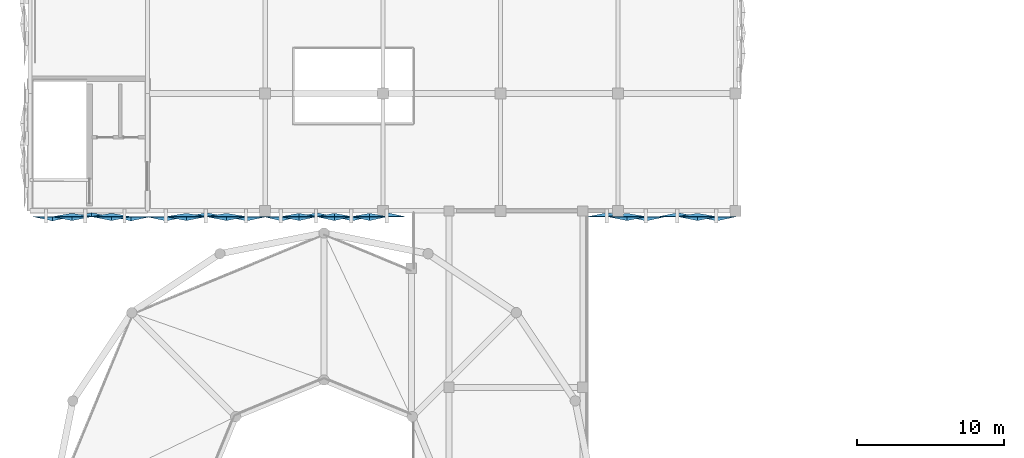
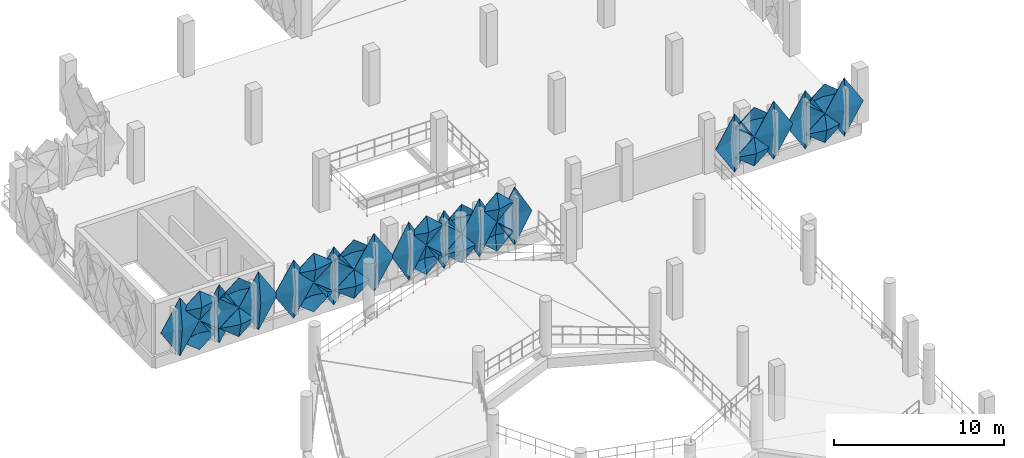
# One storey, part 52 of 83: 32 plates.
"""IFC4 building model written with IfcOpenShell, lengths in metres."""

from ifc_helpers import new_model, si_unit, derived_unit, direction, frame, origin, place, context, subcontext, project, spatial, polygons, material, layer, layer_set, type_object, element, save


model = new_model("IFC4")

# Units and contexts
model_context = context("Model", 3, precision=1e-05, world=origin(), true_north=direction((0.0, 1.0)))
body_context = subcontext(model_context, "Body", "Model", "MODEL_VIEW")
ifc_project = project(units=[si_unit("LENGTHUNIT", "METRE"), si_unit("AREAUNIT", "SQUARE_METRE"), si_unit("VOLUMEUNIT", "CUBIC_METRE"), si_unit("PLANEANGLEUNIT", "RADIAN"), si_unit("MASSUNIT", "GRAM", prefix="KILO"), si_unit("THERMODYNAMICTEMPERATUREUNIT", "KELVIN"), derived_unit("THERMALTRANSMITTANCEUNIT", [(si_unit("POWERUNIT", "WATT"), 1), (si_unit("AREAUNIT", "SQUARE_METRE"), -1), (si_unit("THERMODYNAMICTEMPERATUREUNIT", "KELVIN"), -1)])], contexts=[model_context])

# Site, building, storey
site_placement = place(None, origin())
site = spatial("IfcSite", under=ifc_project, at=site_placement, CompositionType="ELEMENT")
building_placement = place(site_placement, origin())
building = spatial("IfcBuilding", under=site, at=building_placement, Name="Haiyu Intermodal Mobility Hub", CompositionType="ELEMENT")
storey_placement = place(building_placement, frame((0.0, 0.0, 13.39990234375)))
storey = spatial("IfcBuildingStorey", under=building, at=storey_placement, Name="L03", CompositionType="ELEMENT", Elevation=13.39990234375)

# Plates
ifc_material = material(Name="Anodised aluminium 6063-T6", Category="aluminium")
ifc_layer_1 = layer(ifc_material, 0.01806640625)
ifc_layer_set_1 = layer_set([ifc_layer_1], Name="Anodised aluminium 6063-T6")
plate_type_1 = type_object("IfcPlateType", Name="PLT-FC01", PredefinedType="USERDEFINED", material=ifc_layer_set_1)
plate_1_placement = place(storey_placement, origin())
element("IfcPlate", 1, at=plate_1_placement, inside=storey, type_object=plate_type_1, Name="PLT-PYR-1453", ObjectType="FACADE CASSETTE", PredefinedType="USERDEFINED", context=body_context, shape_type="Tessellation", body=[
    polygons([(16.866943359375, 79.60009765625, 1.6201171875), (18.179931640625, 79.60009765625, 2.670166015625), (16.866943359375, 79.60009765625, 3.72021484375), (15.552978515625, 79.60009765625, 2.670166015625), (16.866943359375, 79.340087890625, 2.670166015625), (16.866943359375, 79.6220703125, 1.6201171875), (18.179931640625, 79.6220703125, 2.670166015625), (16.866943359375, 79.6220703125, 3.72021484375), (15.552978515625, 79.6220703125, 2.670166015625), (16.866943359375, 79.362060546875, 2.670166015625)], [[[1, 2, 5]], [[2, 3, 5]], [[3, 4, 5]], [[4, 1, 5]], [[7, 6, 10]], [[8, 7, 10]], [[9, 8, 10]], [[6, 9, 10]], [[1, 6, 7, 2]], [[2, 7, 8, 3]], [[3, 8, 9, 4]], [[4, 9, 6, 1]]], closed=True),
])
plate_2_placement = place(storey_placement, origin())
element("IfcPlate", 2, at=plate_2_placement, inside=storey, type_object=plate_type_1, Name="PLT-PYR-2080", ObjectType="FACADE CASSETTE", PredefinedType="USERDEFINED", context=body_context, shape_type="Tessellation", body=[
    polygons([(55.925048828125, 79.60009765625, -0.510009765625), (57.22998046875, 79.60009765625, 1.60009765625), (55.925048828125, 79.60009765625, 3.710205078125), (54.6201171875, 79.60009765625, 1.60009765625), (55.925048828125, 79.320068359375, 1.60009765625), (55.925048828125, 79.6220703125, -0.510009765625), (57.22998046875, 79.6220703125, 1.60009765625), (55.925048828125, 79.6220703125, 3.710205078125), (54.6201171875, 79.6220703125, 1.60009765625), (55.925048828125, 79.342041015625, 1.60009765625)], [[[1, 2, 5]], [[2, 3, 5]], [[3, 4, 5]], [[4, 1, 5]], [[7, 6, 10]], [[8, 7, 10]], [[9, 8, 10]], [[6, 9, 10]], [[1, 6, 7, 2]], [[2, 7, 8, 3]], [[3, 8, 9, 4]], [[4, 9, 6, 1]]], closed=True),
])
plate_3_placement = place(storey_placement, origin())
element("IfcPlate", 3, at=plate_3_placement, inside=storey, type_object=plate_type_1, Name="PLT-PYR-2084", ObjectType="FACADE CASSETTE", PredefinedType="USERDEFINED", context=body_context, shape_type="Tessellation", body=[
    polygons([(60.72509765625, 79.60009765625, -0.510009765625), (62.030029296875, 79.60009765625, 1.60009765625), (60.72509765625, 79.60009765625, 3.710205078125), (59.419921875, 79.60009765625, 1.60009765625), (60.72509765625, 79.320068359375, 1.60009765625), (60.72509765625, 79.6220703125, -0.510009765625), (62.030029296875, 79.6220703125, 1.60009765625), (60.72509765625, 79.6220703125, 3.710205078125), (59.419921875, 79.6220703125, 1.60009765625), (60.72509765625, 79.342041015625, 1.60009765625)], [[[1, 2, 5]], [[2, 3, 5]], [[3, 4, 5]], [[4, 1, 5]], [[7, 6, 10]], [[8, 7, 10]], [[9, 8, 10]], [[6, 9, 10]], [[1, 6, 7, 2]], [[2, 7, 8, 3]], [[3, 8, 9, 4]], [[4, 9, 6, 1]]], closed=True),
])
plate_4_placement = place(storey_placement, origin())
element("IfcPlate", 4, at=plate_4_placement, inside=storey, type_object=plate_type_1, Name="PLT-PYR-2520", ObjectType="FACADE CASSETTE", PredefinedType="USERDEFINED", context=body_context, shape_type="Tessellation", body=[
    polygons([(24.633056640625, 79.60009765625, 1.6201171875), (25.97998046875, 79.60009765625, 2.670166015625), (24.633056640625, 79.60009765625, 3.72021484375), (23.287109375, 79.60009765625, 2.670166015625), (24.633056640625, 79.340087890625, 2.670166015625), (24.633056640625, 79.6220703125, 1.6201171875), (25.97998046875, 79.6220703125, 2.670166015625), (24.633056640625, 79.6220703125, 3.72021484375), (23.287109375, 79.6220703125, 2.670166015625), (24.633056640625, 79.362060546875, 2.670166015625)], [[[1, 2, 5]], [[2, 3, 5]], [[3, 4, 5]], [[4, 1, 5]], [[7, 6, 10]], [[8, 7, 10]], [[9, 8, 10]], [[6, 9, 10]], [[1, 6, 7, 2]], [[2, 7, 8, 3]], [[3, 8, 9, 4]], [[4, 9, 6, 1]]], closed=True),
])
plate_5_placement = place(storey_placement, origin())
element("IfcPlate", 5, at=plate_5_placement, inside=storey, type_object=plate_type_1, Name="PLT-PYR-2527", ObjectType="FACADE CASSETTE", PredefinedType="USERDEFINED", context=body_context, shape_type="Tessellation", body=[
    polygons([(32.300048828125, 79.60009765625, 1.6201171875), (33.47998046875, 79.60009765625, 2.670166015625), (32.300048828125, 79.60009765625, 3.72021484375), (31.1201171875, 79.60009765625, 2.670166015625), (32.300048828125, 79.340087890625, 2.670166015625), (32.300048828125, 79.6220703125, 1.6201171875), (33.47998046875, 79.6220703125, 2.670166015625), (32.300048828125, 79.6220703125, 3.72021484375), (31.1201171875, 79.6220703125, 2.670166015625), (32.300048828125, 79.362060546875, 2.670166015625)], [[[1, 2, 5]], [[2, 3, 5]], [[3, 4, 5]], [[4, 1, 5]], [[7, 6, 10]], [[8, 7, 10]], [[9, 8, 10]], [[6, 9, 10]], [[1, 6, 7, 2]], [[2, 7, 8, 3]], [[3, 8, 9, 4]], [[4, 9, 6, 1]]], closed=True),
])
plate_6_placement = place(storey_placement, origin())
element("IfcPlate", 6, at=plate_6_placement, inside=storey, type_object=plate_type_1, Name="PLT-PYR-2533", ObjectType="FACADE CASSETTE", PredefinedType="USERDEFINED", context=body_context, shape_type="Tessellation", body=[
    polygons([(37.10009765625, 79.60009765625, 1.6201171875), (38.280029296875, 79.60009765625, 2.670166015625), (37.10009765625, 79.60009765625, 3.72021484375), (35.919921875, 79.60009765625, 2.670166015625), (37.10009765625, 79.340087890625, 2.670166015625), (37.10009765625, 79.6220703125, 1.6201171875), (38.280029296875, 79.6220703125, 2.670166015625), (37.10009765625, 79.6220703125, 3.72021484375), (35.919921875, 79.6220703125, 2.670166015625), (37.10009765625, 79.362060546875, 2.670166015625)], [[[1, 2, 5]], [[2, 3, 5]], [[3, 4, 5]], [[4, 1, 5]], [[7, 6, 10]], [[8, 7, 10]], [[9, 8, 10]], [[6, 9, 10]], [[1, 6, 7, 2]], [[2, 7, 8, 3]], [[3, 8, 9, 4]], [[4, 9, 6, 1]]], closed=True),
])
ifc_layer_2 = layer(ifc_material, 0.02001953125)
ifc_layer_set_2 = layer_set([ifc_layer_2], Name="Anodised aluminium 6063-T6")
plate_type_2 = type_object("IfcPlateType", Name="PLT-FC02", PredefinedType="USERDEFINED", material=ifc_layer_set_2)
plate_7_placement = place(storey_placement, origin())
element("IfcPlate", 7, at=plate_7_placement, inside=storey, type_object=plate_type_2, Name="PLT-PYR-1454", ObjectType="FACADE CASSETTE", PredefinedType="USERDEFINED", context=body_context, shape_type="Tessellation", body=[
    polygons([(18.199951171875, 79.60009765625, -0.510009765625), (19.512939453125, 79.60009765625, 1.60009765625), (18.199951171875, 79.60009765625, 3.710205078125), (16.886962890625, 79.60009765625, 1.60009765625), (18.199951171875, 79.860107421875, 1.60009765625), (18.199951171875, 79.6220703125, -0.510009765625), (19.512939453125, 79.6220703125, 1.60009765625), (18.199951171875, 79.6220703125, 3.710205078125), (16.886962890625, 79.6220703125, 1.60009765625), (18.199951171875, 79.882080078125, 1.60009765625)], [[[1, 2, 5]], [[2, 3, 5]], [[3, 4, 5]], [[4, 1, 5]], [[7, 6, 10]], [[8, 7, 10]], [[9, 8, 10]], [[6, 9, 10]], [[1, 6, 7, 2]], [[2, 7, 8, 3]], [[3, 8, 9, 4]], [[4, 9, 6, 1]]], closed=True),
])
plate_8_placement = place(storey_placement, origin())
element("IfcPlate", 8, at=plate_8_placement, inside=storey, type_object=plate_type_2, Name="PLT-PYR-1456", ObjectType="FACADE CASSETTE", PredefinedType="USERDEFINED", context=body_context, shape_type="Tessellation", body=[
    polygons([(19.532958984375, 79.60009765625, 1.6201171875), (20.846923828125, 79.60009765625, 2.670166015625), (19.532958984375, 79.60009765625, 3.72021484375), (18.219970703125, 79.60009765625, 2.670166015625), (19.532958984375, 79.820068359375, 2.670166015625), (19.532958984375, 79.6220703125, 1.6201171875), (20.846923828125, 79.6220703125, 2.670166015625), (19.532958984375, 79.6220703125, 3.72021484375), (18.219970703125, 79.6220703125, 2.670166015625), (19.532958984375, 79.842041015625, 2.670166015625)], [[[1, 2, 5]], [[2, 3, 5]], [[3, 4, 5]], [[4, 1, 5]], [[7, 6, 10]], [[8, 7, 10]], [[9, 8, 10]], [[6, 9, 10]], [[1, 6, 7, 2]], [[2, 7, 8, 3]], [[3, 8, 9, 4]], [[4, 9, 6, 1]]], closed=True),
])
plate_9_placement = place(storey_placement, origin())
element("IfcPlate", 9, at=plate_9_placement, inside=storey, type_object=plate_type_2, Name="PLT-PYR-2079", ObjectType="FACADE CASSETTE", PredefinedType="USERDEFINED", context=body_context, shape_type="Tessellation", body=[
    polygons([(54.60009765625, 79.60009765625, 1.6201171875), (55.905029296875, 79.60009765625, 2.670166015625), (54.60009765625, 79.60009765625, 3.72021484375), (53.294921875, 79.60009765625, 2.670166015625), (54.60009765625, 79.820068359375, 2.670166015625), (54.60009765625, 79.6220703125, 1.6201171875), (55.905029296875, 79.6220703125, 2.670166015625), (54.60009765625, 79.6220703125, 3.72021484375), (53.294921875, 79.6220703125, 2.670166015625), (54.60009765625, 79.842041015625, 2.670166015625)], [[[1, 2, 5]], [[2, 3, 5]], [[3, 4, 5]], [[4, 1, 5]], [[7, 6, 10]], [[8, 7, 10]], [[9, 8, 10]], [[6, 9, 10]], [[1, 6, 7, 2]], [[2, 7, 8, 3]], [[3, 8, 9, 4]], [[4, 9, 6, 1]]], closed=True),
])
plate_10_placement = place(storey_placement, origin())
element("IfcPlate", 10, at=plate_10_placement, inside=storey, type_object=plate_type_2, Name="PLT-PYR-2083", ObjectType="FACADE CASSETTE", PredefinedType="USERDEFINED", context=body_context, shape_type="Tessellation", body=[
    polygons([(59.39990234375, 79.60009765625, 1.6201171875), (60.705078125, 79.60009765625, 2.670166015625), (59.39990234375, 79.60009765625, 3.72021484375), (58.094970703125, 79.60009765625, 2.670166015625), (59.39990234375, 79.820068359375, 2.670166015625), (59.39990234375, 79.6220703125, 1.6201171875), (60.705078125, 79.6220703125, 2.670166015625), (59.39990234375, 79.6220703125, 3.72021484375), (58.094970703125, 79.6220703125, 2.670166015625), (59.39990234375, 79.842041015625, 2.670166015625)], [[[1, 2, 5]], [[2, 3, 5]], [[3, 4, 5]], [[4, 1, 5]], [[7, 6, 10]], [[8, 7, 10]], [[9, 8, 10]], [[6, 9, 10]], [[1, 6, 7, 2]], [[2, 7, 8, 3]], [[3, 8, 9, 4]], [[4, 9, 6, 1]]], closed=True),
])
plate_11_placement = place(storey_placement, origin())
element("IfcPlate", 11, at=plate_11_placement, inside=storey, type_object=plate_type_2, Name="PLT-PYR-2521", ObjectType="FACADE CASSETTE", PredefinedType="USERDEFINED", context=body_context, shape_type="Tessellation", body=[
    polygons([(26.0, 79.60009765625, -0.510009765625), (27.346923828125, 79.60009765625, 1.60009765625), (26.0, 79.60009765625, 3.710205078125), (24.653076171875, 79.60009765625, 1.60009765625), (26.0, 79.860107421875, 1.60009765625), (26.0, 79.6220703125, -0.510009765625), (27.346923828125, 79.6220703125, 1.60009765625), (26.0, 79.6220703125, 3.710205078125), (24.653076171875, 79.6220703125, 1.60009765625), (26.0, 79.882080078125, 1.60009765625)], [[[1, 2, 5]], [[2, 3, 5]], [[3, 4, 5]], [[4, 1, 5]], [[7, 6, 10]], [[8, 7, 10]], [[9, 8, 10]], [[6, 9, 10]], [[1, 6, 7, 2]], [[2, 7, 8, 3]], [[3, 8, 9, 4]], [[4, 9, 6, 1]]], closed=True),
])
plate_12_placement = place(storey_placement, origin())
element("IfcPlate", 12, at=plate_12_placement, inside=storey, type_object=plate_type_2, Name="PLT-PYR-2523", ObjectType="FACADE CASSETTE", PredefinedType="USERDEFINED", context=body_context, shape_type="Tessellation", body=[
    polygons([(27.366943359375, 79.60009765625, 1.6201171875), (28.712890625, 79.60009765625, 2.670166015625), (27.366943359375, 79.60009765625, 3.72021484375), (26.02001953125, 79.60009765625, 2.670166015625), (27.366943359375, 79.820068359375, 2.670166015625), (27.366943359375, 79.6220703125, 1.6201171875), (28.712890625, 79.6220703125, 2.670166015625), (27.366943359375, 79.6220703125, 3.72021484375), (26.02001953125, 79.6220703125, 2.670166015625), (27.366943359375, 79.842041015625, 2.670166015625)], [[[1, 2, 5]], [[2, 3, 5]], [[3, 4, 5]], [[4, 1, 5]], [[7, 6, 10]], [[8, 7, 10]], [[9, 8, 10]], [[6, 9, 10]], [[1, 6, 7, 2]], [[2, 7, 8, 3]], [[3, 8, 9, 4]], [[4, 9, 6, 1]]], closed=True),
])
plate_13_placement = place(storey_placement, origin())
element("IfcPlate", 13, at=plate_13_placement, inside=storey, type_object=plate_type_2, Name="PLT-PYR-2528", ObjectType="FACADE CASSETTE", PredefinedType="USERDEFINED", context=body_context, shape_type="Tessellation", body=[
    polygons([(33.5, 79.60009765625, -0.510009765625), (34.679931640625, 79.60009765625, 1.60009765625), (33.5, 79.60009765625, 3.710205078125), (32.320068359375, 79.60009765625, 1.60009765625), (33.5, 79.860107421875, 1.60009765625), (33.5, 79.6220703125, -0.510009765625), (34.679931640625, 79.6220703125, 1.60009765625), (33.5, 79.6220703125, 3.710205078125), (32.320068359375, 79.6220703125, 1.60009765625), (33.5, 79.882080078125, 1.60009765625)], [[[1, 2, 5]], [[2, 3, 5]], [[3, 4, 5]], [[4, 1, 5]], [[7, 6, 10]], [[8, 7, 10]], [[9, 8, 10]], [[6, 9, 10]], [[1, 6, 7, 2]], [[2, 7, 8, 3]], [[3, 8, 9, 4]], [[4, 9, 6, 1]]], closed=True),
])
plate_14_placement = place(storey_placement, origin())
element("IfcPlate", 14, at=plate_14_placement, inside=storey, type_object=plate_type_2, Name="PLT-PYR-2530", ObjectType="FACADE CASSETTE", PredefinedType="USERDEFINED", context=body_context, shape_type="Tessellation", body=[
    polygons([(34.699951171875, 79.60009765625, 1.6201171875), (35.8798828125, 79.60009765625, 2.670166015625), (34.699951171875, 79.60009765625, 3.72021484375), (33.52001953125, 79.60009765625, 2.670166015625), (34.699951171875, 79.820068359375, 2.670166015625), (34.699951171875, 79.6220703125, 1.6201171875), (35.8798828125, 79.6220703125, 2.670166015625), (34.699951171875, 79.6220703125, 3.72021484375), (33.52001953125, 79.6220703125, 2.670166015625), (34.699951171875, 79.842041015625, 2.670166015625)], [[[1, 2, 5]], [[2, 3, 5]], [[3, 4, 5]], [[4, 1, 5]], [[7, 6, 10]], [[8, 7, 10]], [[9, 8, 10]], [[6, 9, 10]], [[1, 6, 7, 2]], [[2, 7, 8, 3]], [[3, 8, 9, 4]], [[4, 9, 6, 1]]], closed=True),
])
ifc_layer_3 = layer(ifc_material, 0.01806640625)
ifc_layer_set_3 = layer_set([ifc_layer_3], Name="Anodised aluminium 6063-T6")
plate_type_3 = type_object("IfcPlateType", Name="PLT-FC03", PredefinedType="USERDEFINED", material=ifc_layer_set_3)
plate_15_placement = place(storey_placement, origin())
element("IfcPlate", 15, at=plate_15_placement, inside=storey, type_object=plate_type_3, Name="PLT-PYR-1457", ObjectType="FACADE CASSETTE", PredefinedType="USERDEFINED", context=body_context, shape_type="Tessellation", body=[
    polygons([(20.866943359375, 79.60009765625, -0.510009765625), (22.179931640625, 79.60009765625, 1.60009765625), (20.866943359375, 79.60009765625, 3.710205078125), (19.552978515625, 79.60009765625, 1.60009765625), (20.866943359375, 79.320068359375, 1.60009765625), (20.866943359375, 79.6220703125, -0.510009765625), (22.179931640625, 79.6220703125, 1.60009765625), (20.866943359375, 79.6220703125, 3.710205078125), (19.552978515625, 79.6220703125, 1.60009765625), (20.866943359375, 79.342041015625, 1.60009765625)], [[[1, 2, 5]], [[2, 3, 5]], [[3, 4, 5]], [[4, 1, 5]], [[7, 6, 10]], [[8, 7, 10]], [[9, 8, 10]], [[6, 9, 10]], [[1, 6, 7, 2]], [[2, 7, 8, 3]], [[3, 8, 9, 4]], [[4, 9, 6, 1]]], closed=True),
])
plate_16_placement = place(storey_placement, origin())
element("IfcPlate", 16, at=plate_16_placement, inside=storey, type_object=plate_type_3, Name="PLT-PYR-2524", ObjectType="FACADE CASSETTE", PredefinedType="USERDEFINED", context=body_context, shape_type="Tessellation", body=[
    polygons([(28.73291015625, 79.60009765625, -0.510009765625), (30.080078125, 79.60009765625, 1.60009765625), (28.73291015625, 79.60009765625, 3.710205078125), (27.386962890625, 79.60009765625, 1.60009765625), (28.73291015625, 79.320068359375, 1.60009765625), (28.73291015625, 79.6220703125, -0.510009765625), (30.080078125, 79.6220703125, 1.60009765625), (28.73291015625, 79.6220703125, 3.710205078125), (27.386962890625, 79.6220703125, 1.60009765625), (28.73291015625, 79.342041015625, 1.60009765625)], [[[1, 2, 5]], [[2, 3, 5]], [[3, 4, 5]], [[4, 1, 5]], [[7, 6, 10]], [[8, 7, 10]], [[9, 8, 10]], [[6, 9, 10]], [[1, 6, 7, 2]], [[2, 7, 8, 3]], [[3, 8, 9, 4]], [[4, 9, 6, 1]]], closed=True),
])
plate_17_placement = place(storey_placement, origin())
element("IfcPlate", 17, at=plate_17_placement, inside=storey, type_object=plate_type_3, Name="PLT-PYR-2531", ObjectType="FACADE CASSETTE", PredefinedType="USERDEFINED", context=body_context, shape_type="Tessellation", body=[
    polygons([(35.89990234375, 79.60009765625, -0.510009765625), (37.080078125, 79.60009765625, 1.60009765625), (35.89990234375, 79.60009765625, 3.710205078125), (34.719970703125, 79.60009765625, 1.60009765625), (35.89990234375, 79.320068359375, 1.60009765625), (35.89990234375, 79.6220703125, -0.510009765625), (37.080078125, 79.6220703125, 1.60009765625), (35.89990234375, 79.6220703125, 3.710205078125), (34.719970703125, 79.6220703125, 1.60009765625), (35.89990234375, 79.342041015625, 1.60009765625)], [[[1, 2, 5]], [[2, 3, 5]], [[3, 4, 5]], [[4, 1, 5]], [[7, 6, 10]], [[8, 7, 10]], [[9, 8, 10]], [[6, 9, 10]], [[1, 6, 7, 2]], [[2, 7, 8, 3]], [[3, 8, 9, 4]], [[4, 9, 6, 1]]], closed=True),
])
ifc_layer_4 = layer(ifc_material, 0.02001953125)
ifc_layer_set_4 = layer_set([ifc_layer_4], Name="Anodised aluminium 6063-T6")
plate_type_4 = type_object("IfcPlateType", Name="PLT-FC06", PredefinedType="USERDEFINED", material=ifc_layer_set_4)
plate_18_placement = place(storey_placement, origin())
element("IfcPlate", 18, at=plate_18_placement, inside=storey, type_object=plate_type_4, Name="PLT-PYR-2534", ObjectType="FACADE CASSETTE", PredefinedType="USERDEFINED", context=body_context, shape_type="Tessellation", body=[
    polygons([(38.300048828125, 79.60009765625, -0.510009765625), (39.47998046875, 79.60009765625, 1.60009765625), (38.300048828125, 79.60009765625, 3.710205078125), (37.1201171875, 79.60009765625, 1.60009765625), (38.300048828125, 79.860107421875, 1.60009765625), (38.300048828125, 79.6220703125, -0.510009765625), (39.47998046875, 79.6220703125, 1.60009765625), (38.300048828125, 79.6220703125, 3.710205078125), (37.1201171875, 79.6220703125, 1.60009765625), (38.300048828125, 79.882080078125, 1.60009765625)], [[[1, 2, 5]], [[2, 3, 5]], [[3, 4, 5]], [[4, 1, 5]], [[7, 6, 10]], [[8, 7, 10]], [[9, 8, 10]], [[6, 9, 10]], [[1, 6, 7, 2]], [[2, 7, 8, 3]], [[3, 8, 9, 4]], [[4, 9, 6, 1]]], closed=True),
])
ifc_layer_5 = layer(ifc_material, 0.02197265625)
ifc_layer_set_5 = layer_set([ifc_layer_5], Name="Anodised aluminium 6063-T6")
plate_type_5 = type_object("IfcPlateType", Name="PLT-FC07", PredefinedType="USERDEFINED", material=ifc_layer_set_5)
plate_19_placement = place(storey_placement, origin())
element("IfcPlate", 19, at=plate_19_placement, inside=storey, type_object=plate_type_5, Name="PLT-PYR-1451", ObjectType="FACADE CASSETTE", PredefinedType="USERDEFINED", context=body_context, shape_type="Tessellation", body=[
    polygons([(15.532958984375, 79.60009765625, -0.510009765625), (16.846923828125, 79.60009765625, 1.60009765625), (15.532958984375, 79.60009765625, 3.710205078125), (14.219970703125, 79.60009765625, 1.60009765625), (15.532958984375, 79.320068359375, 1.60009765625), (15.532958984375, 79.6220703125, -0.510009765625), (16.846923828125, 79.6220703125, 1.60009765625), (15.532958984375, 79.6220703125, 3.710205078125), (14.219970703125, 79.6220703125, 1.60009765625), (15.532958984375, 79.342041015625, 1.60009765625)], [[[1, 2, 5]], [[2, 3, 5]], [[3, 4, 5]], [[4, 1, 5]], [[7, 6, 10]], [[8, 7, 10]], [[9, 8, 10]], [[6, 9, 10]], [[1, 6, 7, 2]], [[2, 7, 8, 3]], [[3, 8, 9, 4]], [[4, 9, 6, 1]]], closed=True),
])
plate_20_placement = place(storey_placement, origin())
element("IfcPlate", 20, at=plate_20_placement, inside=storey, type_object=plate_type_5, Name="PLT-PYR-1455", ObjectType="FACADE CASSETTE", PredefinedType="USERDEFINED", context=body_context, shape_type="Tessellation", body=[
    polygons([(19.532958984375, 79.60009765625, -0.52001953125), (20.846923828125, 79.60009765625, 0.530029296875), (19.532958984375, 79.60009765625, 1.580078125), (18.219970703125, 79.60009765625, 0.530029296875), (19.532958984375, 79.340087890625, 0.530029296875), (19.532958984375, 79.6220703125, -0.52001953125), (20.846923828125, 79.6220703125, 0.530029296875), (19.532958984375, 79.6220703125, 1.580078125), (18.219970703125, 79.6220703125, 0.530029296875), (19.532958984375, 79.362060546875, 0.530029296875)], [[[1, 2, 5]], [[2, 3, 5]], [[3, 4, 5]], [[4, 1, 5]], [[7, 6, 10]], [[8, 7, 10]], [[9, 8, 10]], [[6, 9, 10]], [[1, 6, 7, 2]], [[2, 7, 8, 3]], [[3, 8, 9, 4]], [[4, 9, 6, 1]]], closed=True),
])
plate_21_placement = place(storey_placement, origin())
element("IfcPlate", 21, at=plate_21_placement, inside=storey, type_object=plate_type_5, Name="PLT-PYR-2078", ObjectType="FACADE CASSETTE", PredefinedType="USERDEFINED", context=body_context, shape_type="Tessellation", body=[
    polygons([(54.60009765625, 79.60009765625, -0.52001953125), (55.905029296875, 79.60009765625, 0.530029296875), (54.60009765625, 79.60009765625, 1.580078125), (53.294921875, 79.60009765625, 0.530029296875), (54.60009765625, 79.340087890625, 0.530029296875), (54.60009765625, 79.6220703125, -0.52001953125), (55.905029296875, 79.6220703125, 0.530029296875), (54.60009765625, 79.6220703125, 1.580078125), (53.294921875, 79.6220703125, 0.530029296875), (54.60009765625, 79.362060546875, 0.530029296875)], [[[1, 2, 5]], [[2, 3, 5]], [[3, 4, 5]], [[4, 1, 5]], [[7, 6, 10]], [[8, 7, 10]], [[9, 8, 10]], [[6, 9, 10]], [[1, 6, 7, 2]], [[2, 7, 8, 3]], [[3, 8, 9, 4]], [[4, 9, 6, 1]]], closed=True),
])
plate_22_placement = place(storey_placement, origin())
element("IfcPlate", 22, at=plate_22_placement, inside=storey, type_object=plate_type_5, Name="PLT-PYR-2082", ObjectType="FACADE CASSETTE", PredefinedType="USERDEFINED", context=body_context, shape_type="Tessellation", body=[
    polygons([(59.39990234375, 79.60009765625, -0.52001953125), (60.705078125, 79.60009765625, 0.530029296875), (59.39990234375, 79.60009765625, 1.580078125), (58.094970703125, 79.60009765625, 0.530029296875), (59.39990234375, 79.340087890625, 0.530029296875), (59.39990234375, 79.6220703125, -0.52001953125), (60.705078125, 79.6220703125, 0.530029296875), (59.39990234375, 79.6220703125, 1.580078125), (58.094970703125, 79.6220703125, 0.530029296875), (59.39990234375, 79.362060546875, 0.530029296875)], [[[1, 2, 5]], [[2, 3, 5]], [[3, 4, 5]], [[4, 1, 5]], [[7, 6, 10]], [[8, 7, 10]], [[9, 8, 10]], [[6, 9, 10]], [[1, 6, 7, 2]], [[2, 7, 8, 3]], [[3, 8, 9, 4]], [[4, 9, 6, 1]]], closed=True),
])
plate_23_placement = place(storey_placement, origin())
element("IfcPlate", 23, at=plate_23_placement, inside=storey, type_object=plate_type_5, Name="PLT-PYR-2518", ObjectType="FACADE CASSETTE", PredefinedType="USERDEFINED", context=body_context, shape_type="Tessellation", body=[
    polygons([(23.26708984375, 79.60009765625, -0.510009765625), (24.613037109375, 79.60009765625, 1.60009765625), (23.26708984375, 79.60009765625, 3.710205078125), (21.919921875, 79.60009765625, 1.60009765625), (23.26708984375, 79.320068359375, 1.60009765625), (23.26708984375, 79.6220703125, -0.510009765625), (24.613037109375, 79.6220703125, 1.60009765625), (23.26708984375, 79.6220703125, 3.710205078125), (21.919921875, 79.6220703125, 1.60009765625), (23.26708984375, 79.342041015625, 1.60009765625)], [[[1, 2, 5]], [[2, 3, 5]], [[3, 4, 5]], [[4, 1, 5]], [[7, 6, 10]], [[8, 7, 10]], [[9, 8, 10]], [[6, 9, 10]], [[1, 6, 7, 2]], [[2, 7, 8, 3]], [[3, 8, 9, 4]], [[4, 9, 6, 1]]], closed=True),
])
plate_24_placement = place(storey_placement, origin())
element("IfcPlate", 24, at=plate_24_placement, inside=storey, type_object=plate_type_5, Name="PLT-PYR-2522", ObjectType="FACADE CASSETTE", PredefinedType="USERDEFINED", context=body_context, shape_type="Tessellation", body=[
    polygons([(27.366943359375, 79.60009765625, -0.52001953125), (28.712890625, 79.60009765625, 0.530029296875), (27.366943359375, 79.60009765625, 1.580078125), (26.02001953125, 79.60009765625, 0.530029296875), (27.366943359375, 79.340087890625, 0.530029296875), (27.366943359375, 79.6220703125, -0.52001953125), (28.712890625, 79.6220703125, 0.530029296875), (27.366943359375, 79.6220703125, 1.580078125), (26.02001953125, 79.6220703125, 0.530029296875), (27.366943359375, 79.362060546875, 0.530029296875)], [[[1, 2, 5]], [[2, 3, 5]], [[3, 4, 5]], [[4, 1, 5]], [[7, 6, 10]], [[8, 7, 10]], [[9, 8, 10]], [[6, 9, 10]], [[1, 6, 7, 2]], [[2, 7, 8, 3]], [[3, 8, 9, 4]], [[4, 9, 6, 1]]], closed=True),
])
plate_25_placement = place(storey_placement, origin())
element("IfcPlate", 25, at=plate_25_placement, inside=storey, type_object=plate_type_5, Name="PLT-PYR-2525", ObjectType="FACADE CASSETTE", PredefinedType="USERDEFINED", context=body_context, shape_type="Tessellation", body=[
    polygons([(31.10009765625, 79.60009765625, -0.510009765625), (32.280029296875, 79.60009765625, 1.60009765625), (31.10009765625, 79.60009765625, 3.710205078125), (29.919921875, 79.60009765625, 1.60009765625), (31.10009765625, 79.320068359375, 1.60009765625), (31.10009765625, 79.6220703125, -0.510009765625), (32.280029296875, 79.6220703125, 1.60009765625), (31.10009765625, 79.6220703125, 3.710205078125), (29.919921875, 79.6220703125, 1.60009765625), (31.10009765625, 79.342041015625, 1.60009765625)], [[[1, 2, 5]], [[2, 3, 5]], [[3, 4, 5]], [[4, 1, 5]], [[7, 6, 10]], [[8, 7, 10]], [[9, 8, 10]], [[6, 9, 10]], [[1, 6, 7, 2]], [[2, 7, 8, 3]], [[3, 8, 9, 4]], [[4, 9, 6, 1]]], closed=True),
])
plate_26_placement = place(storey_placement, origin())
element("IfcPlate", 26, at=plate_26_placement, inside=storey, type_object=plate_type_5, Name="PLT-PYR-2529", ObjectType="FACADE CASSETTE", PredefinedType="USERDEFINED", context=body_context, shape_type="Tessellation", body=[
    polygons([(34.699951171875, 79.60009765625, -0.52001953125), (35.8798828125, 79.60009765625, 0.530029296875), (34.699951171875, 79.60009765625, 1.580078125), (33.52001953125, 79.60009765625, 0.530029296875), (34.699951171875, 79.340087890625, 0.530029296875), (34.699951171875, 79.6220703125, -0.52001953125), (35.8798828125, 79.6220703125, 0.530029296875), (34.699951171875, 79.6220703125, 1.580078125), (33.52001953125, 79.6220703125, 0.530029296875), (34.699951171875, 79.362060546875, 0.530029296875)], [[[1, 2, 5]], [[2, 3, 5]], [[3, 4, 5]], [[4, 1, 5]], [[7, 6, 10]], [[8, 7, 10]], [[9, 8, 10]], [[6, 9, 10]], [[1, 6, 7, 2]], [[2, 7, 8, 3]], [[3, 8, 9, 4]], [[4, 9, 6, 1]]], closed=True),
])
ifc_layer_6 = layer(ifc_material, 0.02392578125)
ifc_layer_set_6 = layer_set([ifc_layer_6], Name="Anodised aluminium 6063-T6")
plate_type_6 = type_object("IfcPlateType", Name="PLT-FC08", PredefinedType="USERDEFINED", material=ifc_layer_set_6)
plate_27_placement = place(storey_placement, origin())
element("IfcPlate", 27, at=plate_27_placement, inside=storey, type_object=plate_type_6, Name="PLT-PYR-1452", ObjectType="FACADE CASSETTE", PredefinedType="USERDEFINED", context=body_context, shape_type="Tessellation", body=[
    polygons([(16.866943359375, 79.60009765625, -0.52001953125), (18.179931640625, 79.60009765625, 0.530029296875), (16.866943359375, 79.60009765625, 1.580078125), (15.552978515625, 79.60009765625, 0.530029296875), (16.866943359375, 79.820068359375, 0.530029296875), (16.866943359375, 79.6220703125, -0.52001953125), (18.179931640625, 79.6220703125, 0.530029296875), (16.866943359375, 79.6220703125, 1.580078125), (15.552978515625, 79.6220703125, 0.530029296875), (16.866943359375, 79.842041015625, 0.530029296875)], [[[1, 2, 5]], [[2, 3, 5]], [[3, 4, 5]], [[4, 1, 5]], [[7, 6, 10]], [[8, 7, 10]], [[9, 8, 10]], [[6, 9, 10]], [[1, 6, 7, 2]], [[2, 7, 8, 3]], [[3, 8, 9, 4]], [[4, 9, 6, 1]]], closed=True),
])
plate_28_placement = place(storey_placement, origin())
element("IfcPlate", 28, at=plate_28_placement, inside=storey, type_object=plate_type_6, Name="PLT-PYR-2077", ObjectType="FACADE CASSETTE", PredefinedType="USERDEFINED", context=body_context, shape_type="Tessellation", body=[
    polygons([(53.27490234375, 79.60009765625, -0.510009765625), (54.580078125, 79.60009765625, 1.60009765625), (53.27490234375, 79.60009765625, 3.710205078125), (51.969970703125, 79.60009765625, 1.60009765625), (53.27490234375, 79.860107421875, 1.60009765625), (53.27490234375, 79.6220703125, -0.510009765625), (54.580078125, 79.6220703125, 1.60009765625), (53.27490234375, 79.6220703125, 3.710205078125), (51.969970703125, 79.6220703125, 1.60009765625), (53.27490234375, 79.882080078125, 1.60009765625)], [[[1, 2, 5]], [[2, 3, 5]], [[3, 4, 5]], [[4, 1, 5]], [[7, 6, 10]], [[8, 7, 10]], [[9, 8, 10]], [[6, 9, 10]], [[1, 6, 7, 2]], [[2, 7, 8, 3]], [[3, 8, 9, 4]], [[4, 9, 6, 1]]], closed=True),
])
plate_29_placement = place(storey_placement, origin())
element("IfcPlate", 29, at=plate_29_placement, inside=storey, type_object=plate_type_6, Name="PLT-PYR-2081", ObjectType="FACADE CASSETTE", PredefinedType="USERDEFINED", context=body_context, shape_type="Tessellation", body=[
    polygons([(58.074951171875, 79.60009765625, -0.510009765625), (59.3798828125, 79.60009765625, 1.60009765625), (58.074951171875, 79.60009765625, 3.710205078125), (56.77001953125, 79.60009765625, 1.60009765625), (58.074951171875, 79.860107421875, 1.60009765625), (58.074951171875, 79.6220703125, -0.510009765625), (59.3798828125, 79.6220703125, 1.60009765625), (58.074951171875, 79.6220703125, 3.710205078125), (56.77001953125, 79.6220703125, 1.60009765625), (58.074951171875, 79.882080078125, 1.60009765625)], [[[1, 2, 5]], [[2, 3, 5]], [[3, 4, 5]], [[4, 1, 5]], [[7, 6, 10]], [[8, 7, 10]], [[9, 8, 10]], [[6, 9, 10]], [[1, 6, 7, 2]], [[2, 7, 8, 3]], [[3, 8, 9, 4]], [[4, 9, 6, 1]]], closed=True),
])
plate_30_placement = place(storey_placement, origin())
element("IfcPlate", 30, at=plate_30_placement, inside=storey, type_object=plate_type_6, Name="PLT-PYR-2519", ObjectType="FACADE CASSETTE", PredefinedType="USERDEFINED", context=body_context, shape_type="Tessellation", body=[
    polygons([(24.633056640625, 79.60009765625, -0.52001953125), (25.97998046875, 79.60009765625, 0.530029296875), (24.633056640625, 79.60009765625, 1.580078125), (23.287109375, 79.60009765625, 0.530029296875), (24.633056640625, 79.820068359375, 0.530029296875), (24.633056640625, 79.6220703125, -0.52001953125), (25.97998046875, 79.6220703125, 0.530029296875), (24.633056640625, 79.6220703125, 1.580078125), (23.287109375, 79.6220703125, 0.530029296875), (24.633056640625, 79.842041015625, 0.530029296875)], [[[1, 2, 5]], [[2, 3, 5]], [[3, 4, 5]], [[4, 1, 5]], [[7, 6, 10]], [[8, 7, 10]], [[9, 8, 10]], [[6, 9, 10]], [[1, 6, 7, 2]], [[2, 7, 8, 3]], [[3, 8, 9, 4]], [[4, 9, 6, 1]]], closed=True),
])
plate_31_placement = place(storey_placement, origin())
element("IfcPlate", 31, at=plate_31_placement, inside=storey, type_object=plate_type_6, Name="PLT-PYR-2526", ObjectType="FACADE CASSETTE", PredefinedType="USERDEFINED", context=body_context, shape_type="Tessellation", body=[
    polygons([(32.300048828125, 79.60009765625, -0.52001953125), (33.47998046875, 79.60009765625, 0.530029296875), (32.300048828125, 79.60009765625, 1.580078125), (31.1201171875, 79.60009765625, 0.530029296875), (32.300048828125, 79.820068359375, 0.530029296875), (32.300048828125, 79.6220703125, -0.52001953125), (33.47998046875, 79.6220703125, 0.530029296875), (32.300048828125, 79.6220703125, 1.580078125), (31.1201171875, 79.6220703125, 0.530029296875), (32.300048828125, 79.842041015625, 0.530029296875)], [[[1, 2, 5]], [[2, 3, 5]], [[3, 4, 5]], [[4, 1, 5]], [[7, 6, 10]], [[8, 7, 10]], [[9, 8, 10]], [[6, 9, 10]], [[1, 6, 7, 2]], [[2, 7, 8, 3]], [[3, 8, 9, 4]], [[4, 9, 6, 1]]], closed=True),
])
plate_32_placement = place(storey_placement, origin())
element("IfcPlate", 32, at=plate_32_placement, inside=storey, type_object=plate_type_6, Name="PLT-PYR-2532", ObjectType="FACADE CASSETTE", PredefinedType="USERDEFINED", context=body_context, shape_type="Tessellation", body=[
    polygons([(37.10009765625, 79.60009765625, -0.52001953125), (38.280029296875, 79.60009765625, 0.530029296875), (37.10009765625, 79.60009765625, 1.580078125), (35.919921875, 79.60009765625, 0.530029296875), (37.10009765625, 79.820068359375, 0.530029296875), (37.10009765625, 79.6220703125, -0.52001953125), (38.280029296875, 79.6220703125, 0.530029296875), (37.10009765625, 79.6220703125, 1.580078125), (35.919921875, 79.6220703125, 0.530029296875), (37.10009765625, 79.842041015625, 0.530029296875)], [[[1, 2, 5]], [[2, 3, 5]], [[3, 4, 5]], [[4, 1, 5]], [[7, 6, 10]], [[8, 7, 10]], [[9, 8, 10]], [[6, 9, 10]], [[1, 6, 7, 2]], [[2, 7, 8, 3]], [[3, 8, 9, 4]], [[4, 9, 6, 1]]], closed=True),
])

save(model, "model.ifc")
